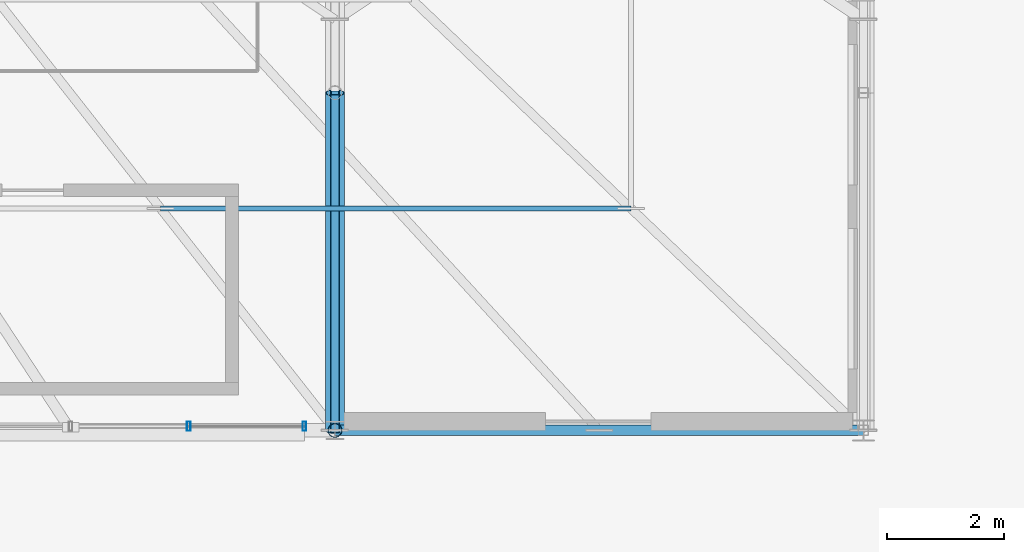
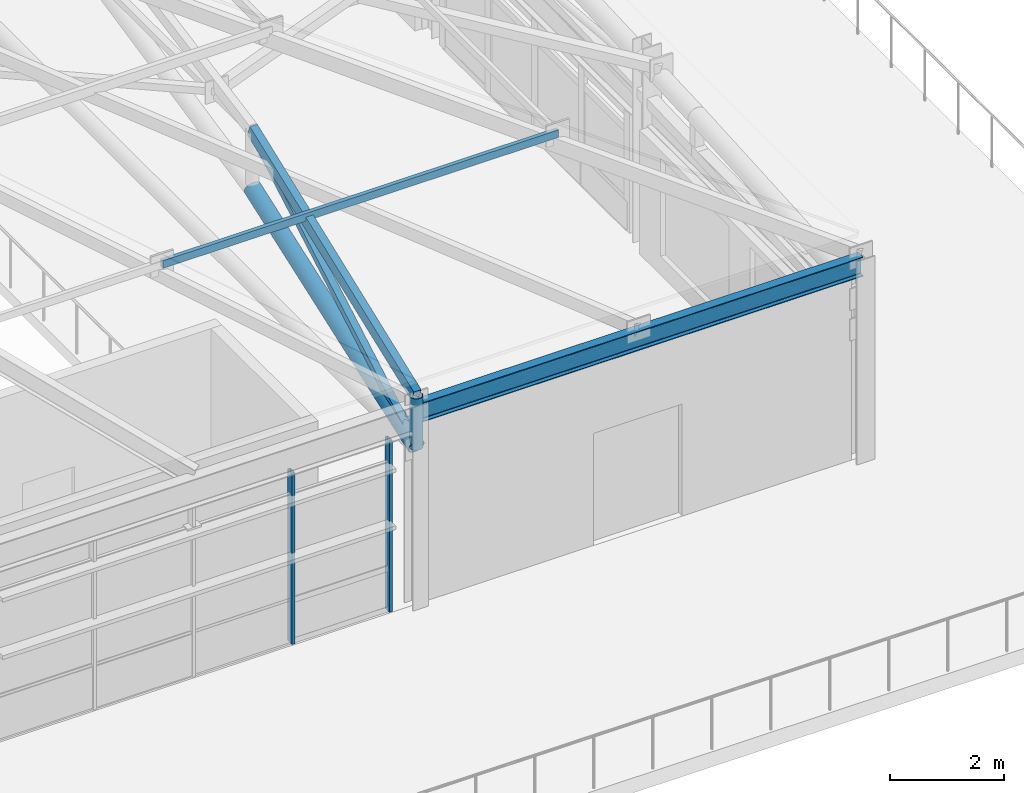
# One storey, part 36 of 168: 6 members, 2 beams, 1 element without a shape of its own.
"""IFC4 building model written with IfcOpenShell, lengths in metres."""

import ifcopenshell
import ifcopenshell.guid

model = None  # the IFC model being written
_history = None  # IfcOwnerHistory: only IFC2X3 demands one
_inside = {}  # id of a spatial element -> (the spatial element, [elements in it])
_under = {}  # id of a project, library or spatial element -> (it, [spatial elements below it])
_declared = {}  # id of a project -> (the project, [libraries it declares])
_typed = {}  # id of a type object -> (the type object, [elements of that type])
_made_of = {}  # id of a material, layer set ... -> (it, [elements and type objects made of it])


def new_model(schema):
    """Start an empty IFC model of exactly this schema.

    Asked for "IFC4X3", IfcOpenShell would pick the latest addendum, in which some entities
    have other attributes; the version numbers below select the first issue.
    IFC2X3 requires an IfcOwnerHistory on every rooted entity: one is made here for all.
    """
    global model, _history
    if schema == "IFC4X3":
        model = ifcopenshell.file(schema_version=(4, 3, 0, 0))
    else:
        model = ifcopenshell.file(schema=schema)
    _inside.clear()
    _under.clear()
    _declared.clear()
    _typed.clear()
    _made_of.clear()
    _history = None
    if model.schema == "IFC2X3":
        org = make("IfcOrganization", Name="unknown")
        user = make(
            "IfcPersonAndOrganization",
            ThePerson=make("IfcPerson", FamilyName="unknown"),
            TheOrganization=org,
        )
        app = make(
            "IfcApplication",
            ApplicationDeveloper=org,
            Version="unknown",
            ApplicationFullName="unknown",
            ApplicationIdentifier="unknown",
        )
        _history = make(
            "IfcOwnerHistory",
            OwningUser=user,
            OwningApplication=app,
            ChangeAction="ADDED",
            CreationDate=0,
        )
    return model


def make(cls, **values):
    """One entity of the class cls with the attributes given. An attribute that is None is left unset."""
    return model.create_entity(
        cls, **{name: value for name, value in values.items() if value is not None}
    )


def rooted(cls, **values):
    """An entity with a GlobalId (a new one), such as an element, a storey or a relation."""
    return make(cls, GlobalId=ifcopenshell.guid.new(), OwnerHistory=_history, **values)


def si_unit(unit_type, name, prefix=None):
    """IfcSIUnit, for example si_unit("LENGTHUNIT", "METRE", prefix="MILLI")."""
    return make("IfcSIUnit", UnitType=unit_type, Prefix=prefix, Name=name)


def assignment(units):
    """IfcUnitAssignment: the units of a project."""
    return None if units is None else make("IfcUnitAssignment", Units=units)


def point(xyz):
    """IfcCartesianPoint."""
    return None if xyz is None else make("IfcCartesianPoint", Coordinates=xyz)


def direction(xyz):
    """IfcDirection."""
    return None if xyz is None else make("IfcDirection", DirectionRatios=xyz)


def frame(location, z_axis=None, x_axis=None):
    """IfcAxis2Placement3D, a coordinate frame: its origin and axes. An axis left out is left unset."""
    return make(
        "IfcAxis2Placement3D",
        Location=point(location),
        Axis=direction(z_axis),
        RefDirection=direction(x_axis),
    )


def frame_2d(location, x_axis=None):
    """IfcAxis2Placement2D, a coordinate frame in the plane: its origin and x axis."""
    return make(
        "IfcAxis2Placement2D", Location=point(location), RefDirection=direction(x_axis)
    )


def origin():
    """The frame at (0, 0, 0) with its axes left unset."""
    return frame((0.0, 0.0, 0.0))


def origin_2d():
    """The frame at (0, 0) in the plane with its x axis left unset."""
    return frame_2d((0.0, 0.0))


def place(relative_to, where):
    """IfcLocalPlacement: puts the frame where relative to a parent placement (None: the world)."""
    return make(
        "IfcLocalPlacement", PlacementRelTo=relative_to, RelativePlacement=where
    )


def context(
    kind, dimensions, precision=None, world=None, true_north=None, identifier=None
):
    """IfcGeometricRepresentationContext, for example the 3D "Model" context."""
    return make(
        "IfcGeometricRepresentationContext",
        ContextIdentifier=identifier,
        ContextType=kind,
        CoordinateSpaceDimension=dimensions,
        Precision=precision,
        WorldCoordinateSystem=world,
        TrueNorth=true_north,
    )


def subcontext(parent, identifier, kind, view, scale=None):
    """IfcGeometricRepresentationSubContext, for example "Body" below "Model"."""
    return make(
        "IfcGeometricRepresentationSubContext",
        ContextIdentifier=identifier,
        ContextType=kind,
        ParentContext=parent,
        TargetScale=scale,
        TargetView=view,
    )


def project(units=None, contexts=None):
    """IfcProject with its units and contexts."""
    return rooted(
        "IfcProject",
        Name="project",
        RepresentationContexts=contexts,
        UnitsInContext=assignment(units),
    )


def spatial(cls, under=None, at=None, **own):
    """A site, building, storey or space (cls), placed at a placement, below another one or the project."""
    s = rooted(cls, ObjectPlacement=at, **own)
    if under is not None:
        _under.setdefault(under.id(), (under, []))[1].append(s)
    return s


def profile(cls, at=None, kind="AREA", **sizes):
    """A parametric profile (cls). Its sizes go by their IFC names, for example OverallWidth=200.0."""
    return make(cls, ProfileType=kind, Position=at, **sizes)


def hollow_rectangle(**sizes):
    """IfcRectangleHollowProfileDef."""
    return profile("IfcRectangleHollowProfileDef", **sizes)


def hollow_circle(**sizes):
    """IfcCircleHollowProfileDef."""
    return profile("IfcCircleHollowProfileDef", **sizes)


def i_section(**sizes):
    """IfcIShapeProfileDef."""
    return profile("IfcIShapeProfileDef", **sizes)


def extrude(swept, where, along, depth):
    """IfcExtrudedAreaSolid: the profile swept, set in the frame where, extruded along a direction by depth."""
    return make(
        "IfcExtrudedAreaSolid",
        SweptArea=swept,
        Position=where,
        ExtrudedDirection=direction(along),
        Depth=depth,
    )


def shape(context_of_items, identifier, shape_type, items):
    """IfcShapeRepresentation: the items that make up one representation, for example the "Body"."""
    return make(
        "IfcShapeRepresentation",
        ContextOfItems=context_of_items,
        RepresentationIdentifier=identifier,
        RepresentationType=shape_type,
        Items=items,
    )


def material(Name=None, Category=None):
    """IfcMaterial."""
    return make("IfcMaterial", Name=Name, Category=Category)


def material_profile(
    of_material, cross_section, Name=None, Category=None, Priority=None
):
    """IfcMaterialProfile: a cross section and its material."""
    return make(
        "IfcMaterialProfile",
        Name=Name,
        Material=of_material,
        Profile=cross_section,
        Priority=Priority,
        Category=Category,
    )


def profile_set(profiles, Name=None, composite=None):
    """IfcMaterialProfileSet."""
    return make(
        "IfcMaterialProfileSet",
        Name=Name,
        MaterialProfiles=profiles,
        CompositeProfile=composite,
    )


def made_of(thing, what):
    """Note that an element or type object is made of a material, layer set ...; save() writes the relation."""
    if what is not None:
        _made_of.setdefault(what.id(), (what, []))[1].append(thing)
    return thing


def type_object(cls, material=None, **own):
    """A type object (cls), such as IfcWallType, which elements share."""
    return made_of(rooted(cls, **own), material)


def element(
    cls,
    number,
    at=None,
    inside=None,
    cuts=None,
    type_object=None,
    material=None,
    context=None,
    identifier="Body",
    shape_type=None,
    held_by="IfcProductDefinitionShape",
    body=None,
    shapes=None,
    **own,
):
    """One element of the class cls, such as IfcWall. Its Tag is "e" and its number.

    at: its placement. inside: the storey or other place that contains it. cuts: it is an
    opening in that element (IfcRelVoidsElement). A single representation is given by context,
    identifier, shape_type and body (its items); several are given by shapes. held_by: the class
    of the entity that holds the representations. save() writes the other relations.
    """
    e = rooted(cls, Tag="e%d" % number, ObjectPlacement=at, **own)
    if body is not None:
        shapes = [shape(context, identifier, shape_type, body)]
    if shapes is not None:
        e.Representation = make(held_by, Representations=shapes)
    if inside is not None:
        _inside.setdefault(inside.id(), (inside, []))[1].append(e)
    if cuts is not None:
        rooted(
            "IfcRelVoidsElement", RelatingBuildingElement=cuts, RelatedOpeningElement=e
        )
    if type_object is not None:
        _typed.setdefault(type_object.id(), (type_object, []))[1].append(e)
    return made_of(e, material)


def aggregate(whole, parts):
    """IfcRelAggregates: a whole, such as a stair, and the parts it consists of."""
    return rooted("IfcRelAggregates", RelatingObject=whole, RelatedObjects=parts)


def save(model, path):
    """Write the relations noted so far, then the file.

    IfcRelAggregates (storeys below a building ...), IfcRelContainedInSpatialStructure (elements
    in a storey), IfcRelDefinesByType, IfcRelAssociatesMaterial and IfcRelDeclares: one each for
    every whole, place, type object, material and project.
    """
    for whole, parts in _under.values():
        aggregate(whole, parts)
    for where, things in _inside.values():
        rooted(
            "IfcRelContainedInSpatialStructure",
            RelatedElements=things,
            RelatingStructure=where,
        )
    for kind, things in _typed.values():
        rooted("IfcRelDefinesByType", RelatedObjects=things, RelatingType=kind)
    for what, things in _made_of.values():
        rooted("IfcRelAssociatesMaterial", RelatedObjects=things, RelatingMaterial=what)
    for by, libraries in _declared.values():
        rooted("IfcRelDeclares", RelatingContext=by, RelatedDefinitions=libraries)
    model.write(path)


model = new_model("IFC4")

# Units and contexts
model_context = context("Model", 3, precision=1e-05, world=origin(), true_north=direction((0.0, 1.0)))
body_context = subcontext(model_context, "Body", "Model", "MODEL_VIEW")
ifc_project = project(units=[si_unit("LENGTHUNIT", "METRE"), si_unit("AREAUNIT", "SQUARE_METRE"), si_unit("VOLUMEUNIT", "CUBIC_METRE"), si_unit("PLANEANGLEUNIT", "RADIAN"), si_unit("MASSUNIT", "GRAM", prefix="KILO"), si_unit("THERMODYNAMICTEMPERATUREUNIT", "KELVIN"), si_unit("POWERUNIT", "WATT")], contexts=[model_context])

# Site, building, storey
site_placement = place(None, origin())
site = spatial("IfcSite", under=ifc_project, at=site_placement, CompositionType="ELEMENT")
building_placement = place(site_placement, origin())
building = spatial("IfcBuilding", under=site, at=building_placement, Name="Tepalcoro Natatorium and Aquatics Centre", CompositionType="ELEMENT")
storey_placement = place(building_placement, frame((0.0, 0.0, 10.199951171875)))
storey = spatial("IfcBuildingStorey", under=building, at=storey_placement, Name="L02", CompositionType="ELEMENT", Elevation=10.199951171875)

# Beam
ifc_material_1 = material(Name="Terracotta Painted Hollow Steel ASTM A500 Grade C (Fy 345 MPa)", Category="masonry")
ifc_material_profile_1 = material_profile(ifc_material_1, hollow_rectangle(XDim=0.14990234375, YDim=0.25, WallThickness=0.011962890625, at=origin_2d()), Name="HSS250X150X12")
ifc_profile_set_1 = profile_set([ifc_material_profile_1], Name="Terracotta Painted Hollow Steel ASTM A500 Grade C (Fy 345 MPa)")
beam_type_1 = type_object("IfcBeamType", Name="AC_HSS250x150x12", PredefinedType="USERDEFINED", material=ifc_profile_set_1)
beam_1_placement = place(storey_placement, frame((116.0, 13.0, 4.47509765625), z_axis=(0.0, 0.934186419385, 0.356785276935), x_axis=(-1.0, 0.0, 0.0)))
element("IfcBeam", 1, at=beam_1_placement, inside=storey, type_object=beam_type_1, Name="V1 Arched Truss Top Chord 8", ObjectType="ARCH CHORD", PredefinedType="USERDEFINED", context=body_context, shape_type="SweptSolid", body=[
    extrude(hollow_rectangle(XDim=0.14990234375, YDim=0.25, WallThickness=0.011962890625, at=origin_2d()), origin(), (0.0, 0.0, 1.0), 6.155029296875),
])

# Curtain wall, members
ifc_material_2 = material(Name="Bronze-Anodised Extruded Aluminium Alloy EN AW-6063 T6", Category="aluminium")
curtain_wall_type = type_object("IfcCurtainWallType", Name="CW_LEAN_T1_EW", PredefinedType="USERDEFINED", material=ifc_material_2)
curtain_wall_placement = place(storey_placement, origin())
curtain_wall = element("IfcCurtainWall", 2, at=curtain_wall_placement, inside=storey, type_object=curtain_wall_type, Name="V1 L02 S Unitised Curtain Wall Bay 7", ObjectType="FACETED SOLAR GLAZING", PredefinedType="USERDEFINED")
ifc_material_profile_2 = material_profile(ifc_material_2, hollow_rectangle(XDim=0.06005859375, YDim=0.159912109375, WallThickness=0.00390625, at=origin_2d()), Name="AL60X160X4")
ifc_profile_set_2 = profile_set([ifc_material_profile_2], Name="Bronze-Anodised Extruded Aluminium Alloy EN AW-6063 T6")
member_type_1 = type_object("IfcMemberType", Name="CW_MUL_60x160", PredefinedType="MULLION", material=ifc_profile_set_2)
member_1_placement = place(storey_placement, frame((113.510009765625, 13.0712890625, 0.02001953125), z_axis=(0.0, 0.0, 1.0), x_axis=(1.0, 0.0, 0.0)))
member_1 = element("IfcMember", 3, at=member_1_placement, type_object=member_type_1, Name="CW_LEAN_T1_EW Curtain Wall Mullion", PredefinedType="MULLION", context=body_context, shape_type="SweptSolid", body=[
    extrude(hollow_rectangle(XDim=0.06005859375, YDim=0.159912109375, WallThickness=0.00390625, at=origin_2d()), origin(), (0.0, 0.0, 1.0), 3.66796875),
])
member_2_placement = place(storey_placement, frame((115.47998046875, 13.0712890625, 0.02001953125), z_axis=(0.0, 0.0, 1.0), x_axis=(1.0, 0.0, 0.0)))
member_2 = element("IfcMember", 4, at=member_2_placement, type_object=member_type_1, Name="CW_LEAN_T1_EW Curtain Wall Mullion", PredefinedType="MULLION", context=body_context, shape_type="SweptSolid", body=[
    extrude(hollow_rectangle(XDim=0.06005859375, YDim=0.159912109375, WallThickness=0.00390625, at=origin_2d()), origin(), (0.0, 0.0, 1.0), 3.66796875),
])
aggregate(curtain_wall, [member_1, member_2])

# Members
ifc_material_profile_3 = material_profile(ifc_material_1, hollow_circle(Radius=0.162109375, WallThickness=0.013916015625, at=origin_2d()), Name="CHS324X14")
ifc_profile_set_3 = profile_set([ifc_material_profile_3], Name="Terracotta Painted Hollow Steel ASTM A500 Grade C (Fy 345 MPa)")
member_type_2 = type_object("IfcMemberType", Name="MB_CH_CHS324x14", PredefinedType="CHORD", material=ifc_profile_set_3)
member_3_placement = place(storey_placement, frame((116.0, 13.0, 3.375), z_axis=(0.0, 0.941760003632, 0.336285734993), x_axis=(-1.0, 0.0, 0.0)))
element("IfcMember", 5, at=member_3_placement, inside=storey, type_object=member_type_2, Name="V1 Arched Truss Bottom Chord 8", PredefinedType="CHORD", context=body_context, shape_type="SweptSolid", body=[
    extrude(hollow_circle(Radius=0.162109375, WallThickness=0.013916015625, at=origin_2d()), origin(), (0.0, 0.0, 1.0), 6.10546875),
])
ifc_material_3 = material(Name="Hollow Steel ASTM A500 Grade C (Fy 345 MPa)", Category="steel")
ifc_material_profile_4 = material_profile(ifc_material_3, hollow_rectangle(XDim=0.080078125, YDim=0.159912109375, WallThickness=0.008056640625, at=origin_2d()), Name="HSS160X80X8")
ifc_profile_set_4 = profile_set([ifc_material_profile_4], Name="Hollow Steel ASTM A500 Grade C (Fy 345 MPa)")
member_type_3 = type_object("IfcMemberType", Name="MB_PR_HSS160x80x8", PredefinedType="PURLIN", material=ifc_profile_set_4)
member_4_placement = place(storey_placement, frame((113.030029296875, 16.780029296875, 6.03662109375), z_axis=(1.0, 0.0, 0.0), x_axis=(0.0, 1.0, 0.0)))
element("IfcMember", 6, at=member_4_placement, inside=storey, type_object=member_type_3, Name="Pyramid Horizontal Purlin South", PredefinedType="PURLIN", context=body_context, shape_type="SweptSolid", body=[
    extrude(hollow_rectangle(XDim=0.080078125, YDim=0.159912109375, WallThickness=0.008056640625, at=origin_2d()), origin(), (0.0, 0.0, 1.0), 8.010009765625),
])
ifc_material_profile_5 = material_profile(ifc_material_1, hollow_circle(Radius=0.1220703125, WallThickness=0.011962890625, at=origin_2d()), Name="CHS244X12")
ifc_profile_set_5 = profile_set([ifc_material_profile_5], Name="Terracotta Painted Hollow Steel ASTM A500 Grade C (Fy 345 MPa)")
member_type_4 = type_object("IfcMemberType", Name="MB_PS_CHS244x12", PredefinedType="POST", material=ifc_profile_set_5)
member_5_placement = place(storey_placement, frame((116.0, 13.0, 3.375), z_axis=(0.0, 0.0, 1.0), x_axis=(1.0, 0.0, 0.0)))
element("IfcMember", 7, at=member_5_placement, inside=storey, type_object=member_type_4, Name="V1 Arched Truss Vertical Post 8", PredefinedType="POST", context=body_context, shape_type="SweptSolid", body=[
    extrude(hollow_circle(Radius=0.1220703125, WallThickness=0.011962890625, at=origin_2d()), origin(), (0.0, 0.0, 1.0), 1.10009765625),
])
ifc_material_profile_6 = material_profile(ifc_material_3, hollow_rectangle(XDim=0.139892578125, YDim=0.139892578125, WallThickness=0.008056640625, at=origin_2d()), Name="HSS140X140X8")
ifc_profile_set_6 = profile_set([ifc_material_profile_6], Name="Hollow Steel ASTM A500 Grade C (Fy 345 MPa)")
member_type_5 = type_object("IfcMemberType", Name="MB_ST_HSS140x140x8", PredefinedType="STRUT", material=ifc_profile_set_6)
member_6_placement = place(storey_placement, frame((116.0, 13.0, 3.375), z_axis=(0.0, 0.867564547129, 0.497324598794), x_axis=(-1.0, 0.0, 0.0)))
element("IfcMember", 8, at=member_6_placement, inside=storey, type_object=member_type_5, Name="V1 Arched Truss Web Diagonal 8", PredefinedType="STRUT", context=body_context, shape_type="SweptSolid", body=[
    extrude(hollow_rectangle(XDim=0.139892578125, YDim=0.139892578125, WallThickness=0.008056640625, at=origin_2d()), origin(), (0.0, 0.0, 1.0), 6.627685546875),
])

# Beam
ifc_material_4 = material(Name="Steel ASTM A992 Grade 50 (Fy 345 MPa)", Category="steel")
ifc_material_profile_7 = material_profile(ifc_material_4, i_section(OverallWidth=0.179931640625, OverallDepth=0.4130859375, WebThickness=0.010009765625, FlangeThickness=0.01611328125, FilletRadius=0.013916015625, at=origin_2d()), Name="W16X50")
ifc_profile_set_7 = profile_set([ifc_material_profile_7], Name="Steel ASTM A992 Grade 50 (Fy 345 MPa)")
beam_type_2 = type_object("IfcBeamType", Name="SP_HSS300x200x12", PredefinedType="SPANDREL", material=ifc_profile_set_7)
beam_2_placement = place(storey_placement, frame((116.0, 13.0, 4.128662109375), z_axis=(1.0, 0.0, 0.0), x_axis=(0.0, 1.0, 0.0)))
element("IfcBeam", 9, at=beam_2_placement, inside=storey, type_object=beam_type_2, Name="V1 L02 Grid Girder X", PredefinedType="SPANDREL", context=body_context, shape_type="SweptSolid", body=[
    extrude(i_section(OverallWidth=0.179931640625, OverallDepth=0.4130859375, WebThickness=0.010009765625, FlangeThickness=0.01611328125, FilletRadius=0.013916015625, at=origin_2d()), origin(), (0.0, 0.0, 1.0), 9.0),
])

save(model, "model.ifc")
